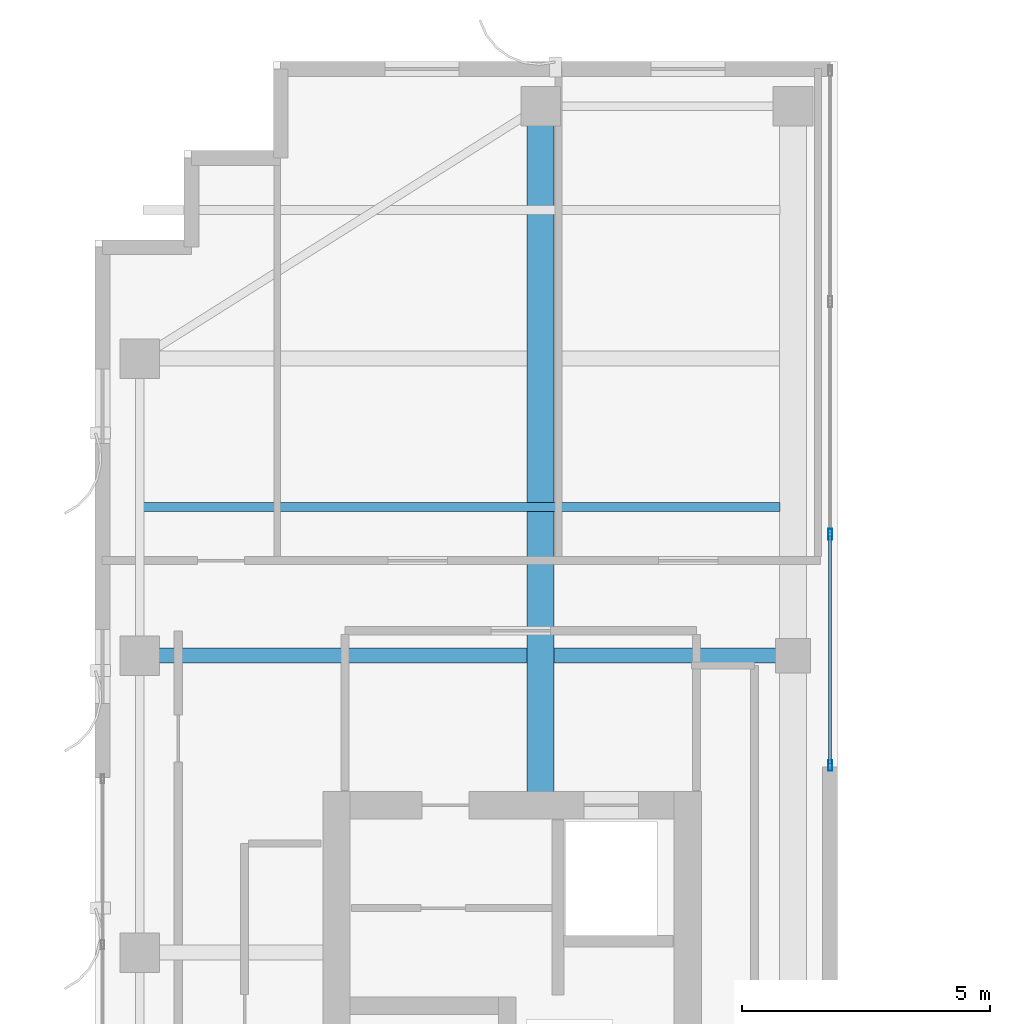
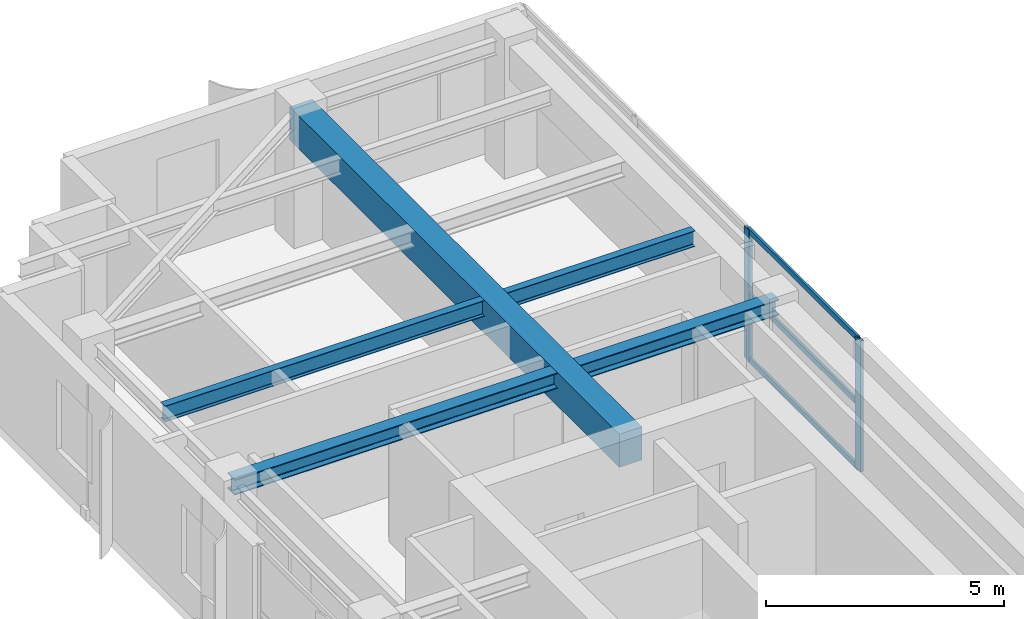
# One storey, part 9 of 24: 5 members, 3 beams, 1 element without a shape of its own.
"""IFC4 building model written with IfcOpenShell, lengths in metres."""

from ifc_helpers import new_model, si_unit, direction, frame, origin, origin_2d, place, context, subcontext, project, spatial, rectangle, hollow_rectangle, i_section, extrude, source, transform, mapped, material, layer, layer_set, material_profile, profile_set, type_object, element, aggregate, save


model = new_model("IFC4")

# Units and contexts
model_context = context("Model", 3, precision=1e-05, world=origin(), true_north=direction((0.0, 1.0)))
body_context = subcontext(model_context, "Body", "Model", "MODEL_VIEW")
ifc_project = project(units=[si_unit("LENGTHUNIT", "METRE"), si_unit("AREAUNIT", "SQUARE_METRE"), si_unit("VOLUMEUNIT", "CUBIC_METRE"), si_unit("PLANEANGLEUNIT", "RADIAN"), si_unit("MASSUNIT", "GRAM", prefix="KILO")], contexts=[model_context])

# Site, building, storey
site_placement = place(None, origin())
site = spatial("IfcSite", under=ifc_project, at=site_placement, CompositionType="ELEMENT")
building_placement = place(site_placement, origin())
building = spatial("IfcBuilding", under=site, at=building_placement, Name="Khoralis Quay Care Tower", CompositionType="ELEMENT")
storey_placement = place(building_placement, frame((0.0, 0.0, 249.300048828125)))
storey = spatial("IfcBuildingStorey", under=building, at=storey_placement, Name="L65", CompositionType="ELEMENT", Elevation=249.300048828125)

# Beams
ifc_material_1 = material(Name="Steel S355", Category="steel")
ifc_material_profile_1 = material_profile(ifc_material_1, i_section(OverallWidth=0.300048828125, OverallDepth=0.39990234375, WebThickness=0.013427734375, FlangeThickness=0.02392578125, FilletRadius=0.027099609375, at=origin_2d()), Name="Steel S355")
ifc_profile_set_1 = profile_set([ifc_material_profile_1], Name="Steel S355")
beam_type_1 = type_object("IfcBeamType", Name="BM-HEB400", PredefinedType="BEAM", material=ifc_profile_set_1)
shared_shape_1 = source(origin(), body_context, "Body", "SweptSolid", [
    extrude(i_section(OverallWidth=0.300048828125, OverallDepth=0.39990234375, WebThickness=0.013427734375, FlangeThickness=0.02392578125, FilletRadius=0.027099609375, at=origin_2d()), origin(), (0.0, 0.0, 1.0), 13.2001953125),
])
beam_1_placement = place(storey_placement, frame((3.89990234375, 30.0, 3.159912109375), z_axis=(1.0, 0.0, 0.0), x_axis=(0.0, 1.0, 0.0)))
element("IfcBeam", 1, at=beam_1_placement, inside=storey, type_object=beam_type_1, Name="BM-TGXW-L65-300", PredefinedType="BEAM", context=body_context, shape_type="MappedRepresentation", body=[
    mapped(shared_shape_1, transform((0.0, 0.0, 0.0), scale=1.0)),
])
ifc_material_2 = material(Name="Concrete C50/60", Category="concrete")
ifc_material_profile_2 = material_profile(ifc_material_2, rectangle(XDim=0.550048828125, YDim=0.85009765625, at=origin_2d()), Name="Concrete C50/60")
ifc_profile_set_2 = profile_set([ifc_material_profile_2], Name="Concrete C50/60")
beam_type_2 = type_object("IfcBeamType", Name="BM-RC550X850", PredefinedType="BEAM", material=ifc_profile_set_2)
shared_shape_2 = source(origin(), body_context, "Body", "SweptSolid", [
    extrude(rectangle(XDim=0.550048828125, YDim=0.85009765625, at=origin_2d()), origin(), (0.0, 0.0, 1.0), 13.85205078125),
])
beam_2_placement = place(storey_placement, frame((12.0, 27.248046875, 2.93505859375), z_axis=(0.0, 1.0, 0.0), x_axis=(-1.0, 0.0, 0.0)))
element("IfcBeam", 2, at=beam_2_placement, inside=storey, type_object=beam_type_2, Name="BM-TGYN-L65-120", PredefinedType="BEAM", context=body_context, shape_type="MappedRepresentation", body=[
    mapped(shared_shape_2, transform((0.0, 0.0, 0.0), scale=1.0)),
])
ifc_material_profile_3 = material_profile(ifc_material_1, i_section(OverallWidth=0.177978515625, OverallDepth=0.406982421875, WebThickness=0.0078125, FlangeThickness=0.0126953125, FilletRadius=0.012939453125, at=origin_2d()), Name="Steel S355")
ifc_profile_set_3 = profile_set([ifc_material_profile_3], Name="Steel S355")
beam_type_3 = type_object("IfcBeamType", Name="BM-W410X60", PredefinedType="JOIST", material=ifc_profile_set_3)
shared_shape_3 = source(origin(), body_context, "Body", "SweptSolid", [
    extrude(i_section(OverallWidth=0.177978515625, OverallDepth=0.406982421875, WebThickness=0.0078125, FlangeThickness=0.0126953125, FilletRadius=0.012939453125, at=origin_2d()), origin(), (0.0, 0.0, 1.0), 12.865966796875),
])
beam_3_placement = place(storey_placement, frame((3.970947265625, 33.0, 3.156494140625), z_axis=(1.0, 0.0, 0.0), x_axis=(0.0, 1.0, 0.0)))
element("IfcBeam", 3, at=beam_3_placement, inside=storey, type_object=beam_type_3, Name="BM-TJS-L65-19", PredefinedType="JOIST", context=body_context, shape_type="MappedRepresentation", body=[
    mapped(shared_shape_3, transform((0.0, 0.0, 0.0), scale=1.0)),
])

# Curtain wall, members
ifc_material_3 = material(Name="Pale anodised aluminium", Category="aluminium")
ifc_layer = layer(ifc_material_3, 0.18994140625)
ifc_layer_set = layer_set([ifc_layer], Name="Pale anodised aluminium")
curtain_wall_type = type_object("IfcCurtainWallType", Name="CW-SYS-PORTAL", PredefinedType="NOTDEFINED", material=ifc_layer_set)
curtain_wall_placement = place(storey_placement, origin())
curtain_wall = element("IfcCurtainWall", 4, at=curtain_wall_placement, inside=storey, type_object=curtain_wall_type, Name="L65 Unitised Curtain Wall CW-VP-L65-P1-N", PredefinedType="NOTDEFINED")
ifc_material_profile_4 = material_profile(ifc_material_3, hollow_rectangle(XDim=0.06005859375, YDim=0.139892578125, WallThickness=0.00390625, at=origin_2d()), Name="Pale anodised aluminium")
ifc_profile_set_4 = profile_set([ifc_material_profile_4], Name="Pale anodised aluminium")
member_type_1 = type_object("IfcMemberType", Name="CW-TRN-140", PredefinedType="USERDEFINED", material=ifc_profile_set_4)
shared_shape_4 = source(origin(), body_context, "Body", "SweptSolid", [
    extrude(hollow_rectangle(XDim=0.06005859375, YDim=0.139892578125, WallThickness=0.00390625, at=origin_2d()), origin(), (0.0, 0.0, 1.0), 4.60986328125),
])
member_1_placement = place(storey_placement, frame((17.85009765625, 27.81005859375, 0.030029296875), z_axis=(0.0, 1.0, 0.0), x_axis=(-1.0, 0.0, 0.0)))
member_1 = element("IfcMember", 5, at=member_1_placement, type_object=member_type_1, Name="CW4 transom 1.1", ObjectType="TRANSOM", PredefinedType="USERDEFINED", context=body_context, shape_type="MappedRepresentation", body=[
    mapped(shared_shape_4, transform((0.0, 0.0, 0.0), scale=1.0)),
])
member_2_placement = place(storey_placement, frame((17.85009765625, 27.81005859375, 1.679931640625), z_axis=(0.0, 1.0, 0.0), x_axis=(-1.0, 0.0, 0.0)))
member_2 = element("IfcMember", 6, at=member_2_placement, type_object=member_type_1, Name="CW4 transom 1.2", ObjectType="TRANSOM", PredefinedType="USERDEFINED", context=body_context, shape_type="MappedRepresentation", body=[
    mapped(shared_shape_4, transform((0.0, 0.0, 0.0), scale=1.0)),
])
member_3_placement = place(storey_placement, frame((17.85009765625, 27.81005859375, 3.329833984375), z_axis=(0.0, 1.0, 0.0), x_axis=(-1.0, 0.0, 0.0)))
member_3 = element("IfcMember", 7, at=member_3_placement, type_object=member_type_1, Name="CW4 transom 1.3", ObjectType="TRANSOM", PredefinedType="USERDEFINED", context=body_context, shape_type="MappedRepresentation", body=[
    mapped(shared_shape_4, transform((0.0, 0.0, 0.0), scale=1.0)),
])
ifc_material_profile_5 = material_profile(ifc_material_3, hollow_rectangle(XDim=0.074951171875, YDim=0.219970703125, WallThickness=0.00390625, at=origin_2d()), Name="Pale anodised aluminium")
ifc_profile_set_5 = profile_set([ifc_material_profile_5], Name="Pale anodised aluminium")
member_type_2 = type_object("IfcMemberType", Name="CW-MUL-220", PredefinedType="MULLION", material=ifc_profile_set_5)
shared_shape_5 = source(origin(), body_context, "Body", "SweptSolid", [
    extrude(hollow_rectangle(XDim=0.074951171875, YDim=0.219970703125, WallThickness=0.00390625, at=origin_2d()), origin(), (0.0, 0.0, 1.0), 3.35986328125),
])
member_4_placement = place(storey_placement, frame((17.85009765625, 27.780029296875, 0.0), z_axis=(0.0, 0.0, 1.0), x_axis=(-1.0, 0.0, 0.0)))
member_4 = element("IfcMember", 8, at=member_4_placement, type_object=member_type_2, Name="CW4 mullion 1", PredefinedType="MULLION", context=body_context, shape_type="MappedRepresentation", body=[
    mapped(shared_shape_5, transform((0.0, 0.0, 0.0), scale=1.0)),
])
member_5_placement = place(storey_placement, frame((17.85009765625, 32.449951171875, 0.0), z_axis=(0.0, 0.0, 1.0), x_axis=(-1.0, 0.0, 0.0)))
member_5 = element("IfcMember", 9, at=member_5_placement, type_object=member_type_2, Name="CW4 mullion 2", PredefinedType="MULLION", context=body_context, shape_type="MappedRepresentation", body=[
    mapped(shared_shape_5, transform((0.0, 0.0, 0.0), scale=1.0)),
])
aggregate(curtain_wall, [member_4, member_5, member_1, member_2, member_3])

save(model, "model.ifc")
